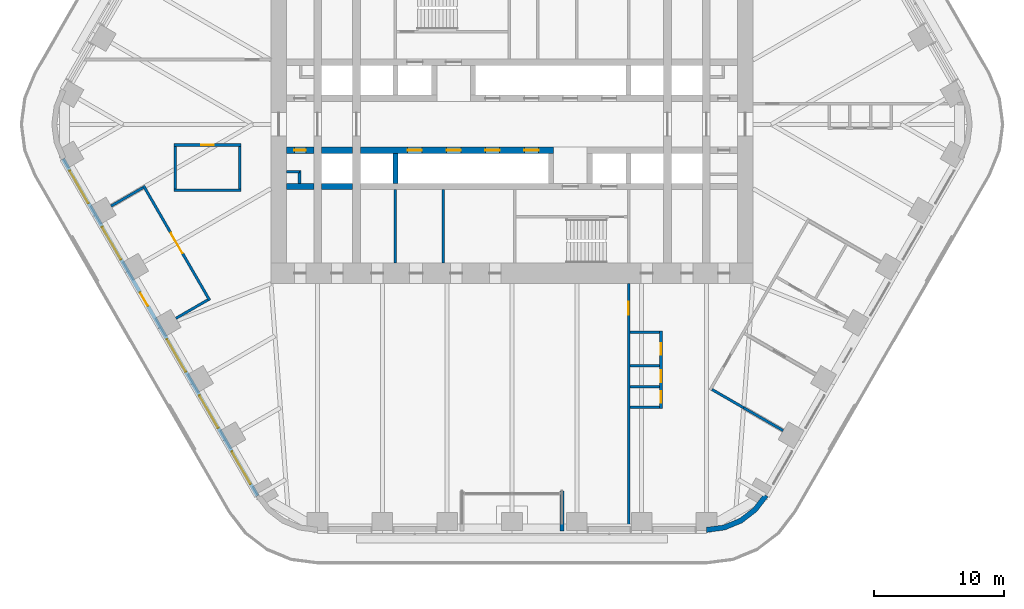
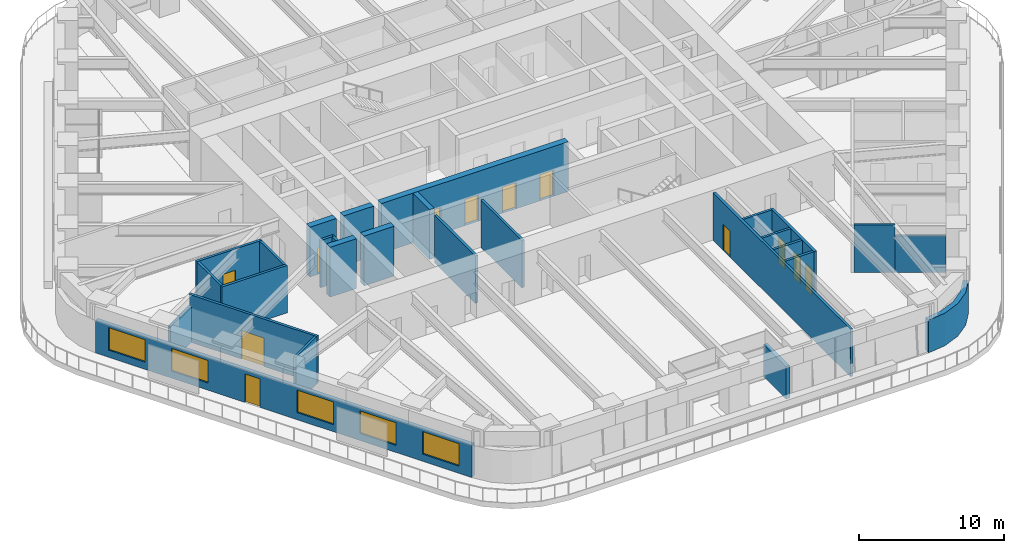
# One storey, part 17 of 24: 28 walls, 12 doors, 5 windows, 17 openings.
"""IFC4 building model written with IfcOpenShell, lengths in metres."""

from ifc_helpers import new_model, si_unit, direction, frame, frame_2d, origin, place, context, subcontext, project, spatial, polyline, rectangle, outline, extrude, material, layer, layer_set, type_object, element, fill, save


model = new_model("IFC4")

# Units and contexts
model_context = context("Model", 3, precision=1e-05, world=origin(), true_north=direction((0.0, 1.0)))
body_context = subcontext(model_context, "Body", "Model", "MODEL_VIEW")
ifc_project = project(units=[si_unit("LENGTHUNIT", "METRE"), si_unit("AREAUNIT", "SQUARE_METRE"), si_unit("VOLUMEUNIT", "CUBIC_METRE"), si_unit("PLANEANGLEUNIT", "RADIAN"), si_unit("MASSUNIT", "GRAM", prefix="KILO")], contexts=[model_context])

# Site, building, storey
site_placement = place(None, origin())
site = spatial("IfcSite", under=ifc_project, at=site_placement, CompositionType="ELEMENT")
building_placement = place(site_placement, origin())
building = spatial("IfcBuilding", under=site, at=building_placement, Name="Tarfa Lantern Tower", CompositionType="ELEMENT")
storey_placement = place(building_placement, frame((0.0, 0.0, 161.5)))
storey = spatial("IfcBuildingStorey", under=building, at=storey_placement, Name="L36", CompositionType="ELEMENT", Elevation=161.5)

# Wall, openings, door, windows
ifc_material_1 = material(Name="Limestone cladding on blockwork", Category="masonry")
ifc_layer_1 = layer(ifc_material_1, 0.300048828125)
ifc_layer_set_1 = layer_set([ifc_layer_1], Name="EW1 STONE-CLAD WALL 300")
wall_type_1 = type_object("IfcWallType", Name="EW1 STONE-CLAD WALL 300", PredefinedType="SOLIDWALL", material=ifc_layer_set_1)
wall_1_placement = place(storey_placement, frame((-34.655517578125, -2.675048828125, 0.0), z_axis=(0.0, 0.0, 1.0), x_axis=(0.500003084452, -0.866023622968, 0.0)))
wall_1 = element("IfcWall", 1, at=wall_1_placement, inside=storey, type_object=wall_type_1, Name="Stone wall SW", PredefinedType="SOLIDWALL", context=body_context, shape_type="SweptSolid", body=[
    extrude(rectangle(XDim=30.022216796875, YDim=0.300048828125, at=frame_2d((15.01123046875, 0.0))), origin(), (0.0, 0.0, 1.0), 2.75),
])
opening_1_placement = place(wall_1_placement, frame((1.0517578125, 0.0, 0.60009765625)))
opening_1 = element("IfcOpeningElement", 2, at=opening_1_placement, cuts=wall_1, Name="Opening W9", PredefinedType="OPENING", context=body_context, shape_type="SweptSolid", body=[
    extrude(rectangle(XDim=2.89990234375, YDim=1.89990234375, at=frame_2d((1.449951171875, 0.949951171875))), frame((0.0, 0.159912109375, 0.0), z_axis=(0.0, -1.0, 0.0), x_axis=(1.0, 0.0, 0.0)), (0.0, 0.0, 1.0), 0.320068359375),
])
opening_2_placement = place(wall_1_placement, frame((6.0556640625, 0.0, 0.60009765625)))
opening_2 = element("IfcOpeningElement", 3, at=opening_2_placement, cuts=wall_1, Name="Opening W9", PredefinedType="OPENING", context=body_context, shape_type="SweptSolid", body=[
    extrude(rectangle(XDim=2.89990234375, YDim=1.89990234375, at=frame_2d((1.449951171875, 0.949951171875))), frame((0.0, 0.159912109375, 0.0), z_axis=(0.0, -1.0, 0.0), x_axis=(1.0, 0.0, 0.0)), (0.0, 0.0, 1.0), 0.320068359375),
])
opening_3_placement = place(wall_1_placement, frame((11.9091796875, 0.0, 0.0)))
opening_3 = element("IfcOpeningElement", 4, at=opening_3_placement, cuts=wall_1, Name="Opening D52", PredefinedType="OPENING", context=body_context, shape_type="SweptSolid", body=[
    extrude(rectangle(XDim=1.199951171875, YDim=2.39990234375, at=frame_2d((0.60009765625, 1.199951171875))), frame((0.0, 0.159912109375, 0.0), z_axis=(0.0, -1.0, 0.0), x_axis=(1.0, 0.0, 0.0)), (0.0, 0.0, 1.0), 0.320068359375),
])
opening_4_placement = place(wall_1_placement, frame((16.06298828125, 0.0, 0.60009765625)))
opening_4 = element("IfcOpeningElement", 5, at=opening_4_placement, cuts=wall_1, Name="Opening W9", PredefinedType="OPENING", context=body_context, shape_type="SweptSolid", body=[
    extrude(rectangle(XDim=2.89990234375, YDim=1.89990234375, at=frame_2d((1.449951171875, 0.949951171875))), frame((0.0, 0.159912109375, 0.0), z_axis=(0.0, -1.0, 0.0), x_axis=(1.0, 0.0, 0.0)), (0.0, 0.0, 1.0), 0.320068359375),
])
opening_5_placement = place(wall_1_placement, frame((21.066650390625, 0.0, 0.60009765625)))
opening_5 = element("IfcOpeningElement", 6, at=opening_5_placement, cuts=wall_1, Name="Opening W9", PredefinedType="OPENING", context=body_context, shape_type="SweptSolid", body=[
    extrude(rectangle(XDim=2.89990234375, YDim=1.89990234375, at=frame_2d((1.449951171875, 0.949951171875))), frame((0.0, 0.159912109375, 0.0), z_axis=(0.0, -1.0, 0.0), x_axis=(1.0, 0.0, 0.0)), (0.0, 0.0, 1.0), 0.320068359375),
])
opening_6_placement = place(wall_1_placement, frame((26.0703125, 0.0, 0.60009765625)))
opening_6 = element("IfcOpeningElement", 7, at=opening_6_placement, cuts=wall_1, Name="Opening W9", PredefinedType="OPENING", context=body_context, shape_type="SweptSolid", body=[
    extrude(rectangle(XDim=2.89990234375, YDim=1.89990234375, at=frame_2d((1.449951171875, 0.949951171875))), frame((0.0, 0.159912109375, 0.0), z_axis=(0.0, -1.0, 0.0), x_axis=(1.0, 0.0, 0.0)), (0.0, 0.0, 1.0), 0.320068359375),
])
ifc_material_2 = material(Name="Aluminium framed glazed door", Category="aluminium")
door_type_1 = type_object("IfcDoorType", Name="BE3 BALCONY DOOR 1200x2400", OperationType="SINGLE_SWING_RIGHT", PredefinedType="DOOR", material=ifc_material_2)
door_1_placement = place(opening_3_placement, origin())
door_1 = element("IfcDoor", 8, at=door_1_placement, inside=storey, type_object=door_type_1, Name="Balcony door SW", OperationType="SINGLE_SWING_RIGHT", OverallHeight=2.39990234375, OverallWidth=1.199951171875, PredefinedType="DOOR", context=body_context, shape_type="SweptSolid", body=[
    extrude(rectangle(XDim=1.199951171875, YDim=2.39990234375, at=frame_2d((0.60009765625, 1.199951171875))), frame((0.0, 0.02490234375, 0.0), z_axis=(0.0, -1.0, 0.0), x_axis=(1.0, 0.0, 0.0)), (0.0, 0.0, 1.0), 0.050048828125),
])
fill(opening_3, door_1)
ifc_material_3 = material(Name="Aluminium frame, double glazed", Category="aluminium")
window_type = type_object("IfcWindowType", Name="W9 FULL-HEIGHT GLAZING 2900x1900", PartitioningType="SINGLE_PANEL", PredefinedType="WINDOW", material=ifc_material_3)
window_1_placement = place(opening_1_placement, origin())
window_1 = element("IfcWindow", 9, at=window_1_placement, inside=storey, type_object=window_type, Name="Window SW 1", OverallHeight=1.89990234375, OverallWidth=2.89990234375, PartitioningType="SINGLE_PANEL", PredefinedType="WINDOW", context=body_context, shape_type="SweptSolid", body=[
    extrude(rectangle(XDim=2.89990234375, YDim=1.89990234375, at=frame_2d((1.449951171875, 0.949951171875))), frame((0.0, 0.030029296875, 0.0), z_axis=(0.0, -1.0, 0.0), x_axis=(1.0, 0.0, 0.0)), (0.0, 0.0, 1.0), 0.06005859375),
])
fill(opening_1, window_1)
window_2_placement = place(opening_2_placement, origin())
window_2 = element("IfcWindow", 10, at=window_2_placement, inside=storey, type_object=window_type, Name="Window SW 2", OverallHeight=1.89990234375, OverallWidth=2.89990234375, PartitioningType="SINGLE_PANEL", PredefinedType="WINDOW", context=body_context, shape_type="SweptSolid", body=[
    extrude(rectangle(XDim=2.89990234375, YDim=1.89990234375, at=frame_2d((1.449951171875, 0.949951171875))), frame((0.0, 0.030029296875, 0.0), z_axis=(0.0, -1.0, 0.0), x_axis=(1.0, 0.0, 0.0)), (0.0, 0.0, 1.0), 0.06005859375),
])
fill(opening_2, window_2)
window_3_placement = place(opening_4_placement, origin())
window_3 = element("IfcWindow", 11, at=window_3_placement, inside=storey, type_object=window_type, Name="Window SW 4", OverallHeight=1.89990234375, OverallWidth=2.89990234375, PartitioningType="SINGLE_PANEL", PredefinedType="WINDOW", context=body_context, shape_type="SweptSolid", body=[
    extrude(rectangle(XDim=2.89990234375, YDim=1.89990234375, at=frame_2d((1.449951171875, 0.949951171875))), frame((0.0, 0.030029296875, 0.0), z_axis=(0.0, -1.0, 0.0), x_axis=(1.0, 0.0, 0.0)), (0.0, 0.0, 1.0), 0.06005859375),
])
fill(opening_4, window_3)
window_4_placement = place(opening_5_placement, origin())
window_4 = element("IfcWindow", 12, at=window_4_placement, inside=storey, type_object=window_type, Name="Window SW 5", OverallHeight=1.89990234375, OverallWidth=2.89990234375, PartitioningType="SINGLE_PANEL", PredefinedType="WINDOW", context=body_context, shape_type="SweptSolid", body=[
    extrude(rectangle(XDim=2.89990234375, YDim=1.89990234375, at=frame_2d((1.449951171875, 0.949951171875))), frame((0.0, 0.030029296875, 0.0), z_axis=(0.0, -1.0, 0.0), x_axis=(1.0, 0.0, 0.0)), (0.0, 0.0, 1.0), 0.06005859375),
])
fill(opening_5, window_4)
window_5_placement = place(opening_6_placement, origin())
window_5 = element("IfcWindow", 13, at=window_5_placement, inside=storey, type_object=window_type, Name="Window SW 6", OverallHeight=1.89990234375, OverallWidth=2.89990234375, PartitioningType="SINGLE_PANEL", PredefinedType="WINDOW", context=body_context, shape_type="SweptSolid", body=[
    extrude(rectangle(XDim=2.89990234375, YDim=1.89990234375, at=frame_2d((1.449951171875, 0.949951171875))), frame((0.0, 0.030029296875, 0.0), z_axis=(0.0, -1.0, 0.0), x_axis=(1.0, 0.0, 0.0)), (0.0, 0.0, 1.0), 0.06005859375),
])
fill(opening_6, window_5)

# Walls
wall_2_placement = place(storey_placement, frame((3.853759765625, -31.39990234375, 0.0), z_axis=(0.0, 0.0, 1.0), x_axis=(0.0, 1.0, 0.0)))
element("IfcWall", 14, at=wall_2_placement, inside=storey, type_object=wall_type_1, Name="Loggia return S 2", PredefinedType="SOLIDWALL", context=body_context, shape_type="SweptSolid", body=[
    extrude(rectangle(XDim=3.099853515625, YDim=0.300048828125, at=frame_2d((1.5498046875, 0.0))), origin(), (0.0, 0.0, 1.0), 2.75),
])
ifc_layer_2 = layer(ifc_material_1, 0.39990234375)
ifc_layer_set_2 = layer_set([ifc_layer_2], Name="EW2 CURVED STONE CORNER 400")
wall_type_2 = type_object("IfcWallType", Name="EW2 CURVED STONE CORNER 400", PredefinedType="SOLIDWALL", material=ifc_layer_set_2)
wall_3_placement = place(storey_placement, origin())
element("IfcWall", 15, at=wall_3_placement, inside=storey, type_object=wall_type_2, Name="Stone corner S-SE", PredefinedType="SOLIDWALL", context=body_context, shape_type="SweptSolid", body=[
    extrude(outline(polyline([(15.010986328125, -31.5), (16.4345703125, -31.3125), (17.760986328125, -30.76318359375), (18.900146484375, -29.88916015625), (19.774169921875, -28.75), (19.427734375, -28.550048828125), (18.617431640625, -29.606201171875), (17.56103515625, -30.416748046875), (16.3310546875, -30.92626953125), (15.010986328125, -31.10009765625), (15.010986328125, -31.5)])), origin(), (0.0, 0.0, 1.0), 2.75),
])
ifc_material_4 = material(Name="Concrete blockwork", Category="masonry")
ifc_layer_3 = layer(ifc_material_4, 0.199951171875)
ifc_layer_set_3 = layer_set([ifc_layer_3], Name="IW1 BLOCKWORK PARTITION 200 EI 120")
wall_type_3 = type_object("IfcWallType", Name="IW1 BLOCKWORK PARTITION 200 EI 120", PredefinedType="PARTITIONING", material=ifc_layer_set_3)
for number, where, z_axis, x_axis, name in (
    (16, (-9.0, -5.050048828125, 0.0), (0.0, 0.0, 1.0), (0.0, -1.0, 0.0), "Core partition"),
    (17, (-5.300048828125, -5.050048828125, 0.0), (0.0, 0.0, 1.0), (0.0, -1.0, 0.0), "Core partition"),
):
    element("IfcWall", number, at=place(storey_placement, frame(where, z_axis=z_axis, x_axis=x_axis)), inside=storey, type_object=wall_type_3, Name=name, PredefinedType="PARTITIONING", context=body_context, shape_type="SweptSolid", body=[
        extrude(rectangle(XDim=5.64990234375, YDim=0.199951171875, at=frame_2d((2.824951171875, 0.0))), origin(), (0.0, 0.0, 1.0), 4.0),
    ])
for number, where, z_axis, x_axis, name in (
    (18, (-16.39990234375, -3.64990234375, 0.0), (0.0, 0.0, 1.0), (-1.0, 0.0, 0.0), "Core partition"),
    (19, (-16.39990234375, -3.550048828125, 0.0), (0.0, 0.0, 1.0), (0.0, -1.0, 0.0), "Core partition"),
):
    element("IfcWall", number, at=place(storey_placement, frame(where, z_axis=z_axis, x_axis=x_axis)), inside=storey, type_object=wall_type_3, Name=name, PredefinedType="PARTITIONING", context=body_context, shape_type="SweptSolid", body=[
        extrude(rectangle(XDim=1.0, YDim=0.199951171875, at=frame_2d((0.5, 0.0))), origin(), (0.0, 0.0, 1.0), 4.0),
    ])
ifc_material_5 = material(Name="Gypsum board on steel studs", Category="steel")
ifc_layer_4 = layer(ifc_material_5, 0.2099609375)
ifc_layer_set_4 = layer_set([ifc_layer_4], Name="IW2 ACOUSTIC PARTITION 200")
wall_type_4 = type_object("IfcWallType", Name="IW2 ACOUSTIC PARTITION 200", PredefinedType="PARTITIONING", material=ifc_layer_set_4)
wall_4_placement = place(storey_placement, frame((15.4345703125, -20.466552734375, 0.0), z_axis=(0.0, 0.0, 1.0), x_axis=(0.866008320966, -0.500029587143, 0.0)))
element("IfcWall", 20, at=wall_4_placement, inside=storey, type_object=wall_type_4, Name="Partition", PredefinedType="PARTITIONING", context=body_context, shape_type="SweptSolid", body=[
    extrude(rectangle(XDim=2.821044921875, YDim=0.199951171875, at=frame_2d((1.41064453125, 0.0))), origin(), (0.0, 0.0, 1.0), 4.0),
])
wall_5_placement = place(storey_placement, frame((17.877685546875, -21.877197265625, 0.0), z_axis=(0.0, 0.0, 1.0), x_axis=(0.866033512162, -0.499985955615, 0.0)))
element("IfcWall", 21, at=wall_5_placement, inside=storey, type_object=wall_type_4, Name="Partition", PredefinedType="PARTITIONING", context=body_context, shape_type="SweptSolid", body=[
    extrude(rectangle(XDim=3.52880859375, YDim=0.199951171875, at=frame_2d((1.764404296875, 0.0))), origin(), (0.0, 0.0, 1.0), 3.08154296875),
])

# Wall, opening, door
wall_6_placement = place(storey_placement, frame((-28.436279296875, -4.746826171875, 0.0), z_axis=(0.0, 0.0, 1.0), x_axis=(0.499987468925, -0.866032638483, 0.0)))
wall_6 = element("IfcWall", 22, at=wall_6_placement, inside=storey, type_object=wall_type_4, Name="Partition", PredefinedType="PARTITIONING", context=body_context, shape_type="SweptSolid", body=[
    extrude(rectangle(XDim=10.207275390625, YDim=0.199951171875, at=frame_2d((5.103515625, 0.0))), origin(), (0.0, 0.0, 1.0), 4.0),
])
opening_7_placement = place(wall_6_placement, frame((4.20361328125, 0.0, 0.0)))
opening_7 = element("IfcOpeningElement", 23, at=opening_7_placement, cuts=wall_6, Name="Opening D37", PredefinedType="OPENING", context=body_context, shape_type="SweptSolid", body=[
    extrude(rectangle(XDim=1.800048828125, YDim=2.39990234375, at=frame_2d((0.89990234375, 1.199951171875))), frame((0.0, 0.10986328125, 0.0), z_axis=(0.0, -1.0, 0.0), x_axis=(1.0, 0.0, 0.0)), (0.0, 0.0, 1.0), 0.219970703125),
])
ifc_material_6 = material(Name="Timber door", Category="wood")
door_type_2 = type_object("IfcDoorType", Name="DR2 ROOM DOOR 1800x2400", OperationType="DOUBLE_DOOR_SINGLE_SWING", PredefinedType="DOOR", material=ifc_material_6)
door_2_placement = place(opening_7_placement, frame((1.800048828125, 0.0, 0.0), z_axis=(0.0, 0.0, 1.0), x_axis=(-1.0, 0.0, 0.0)))
door_2 = element("IfcDoor", 24, at=door_2_placement, inside=storey, type_object=door_type_2, Name="Evidence review room door", OperationType="DOUBLE_DOOR_SINGLE_SWING", OverallHeight=2.39990234375, OverallWidth=1.800048828125, PredefinedType="DOOR", context=body_context, shape_type="SweptSolid", body=[
    extrude(rectangle(XDim=1.800048828125, YDim=2.39990234375, at=frame_2d((0.89990234375, 1.199951171875))), frame((0.0, 0.02490234375, 0.0), z_axis=(0.0, -1.0, 0.0), x_axis=(1.0, 0.0, 0.0)), (0.0, 0.0, 1.0), 0.050048828125),
])
fill(opening_7, door_2)

# Walls
wall_7_placement = place(storey_placement, frame((-28.472900390625, -4.88330078125, 0.0), z_axis=(0.0, 0.0, 1.0), x_axis=(-0.866025820012, -0.499999279071, 0.0)))
element("IfcWall", 25, at=wall_7_placement, inside=storey, type_object=wall_type_4, Name="Partition", PredefinedType="PARTITIONING", context=body_context, shape_type="SweptSolid", body=[
    extrude(rectangle(XDim=2.85009765625, YDim=0.199951171875, at=frame_2d((1.425048828125, 0.0))), origin(), (0.0, 0.0, 1.0), 3.08154296875),
])
wall_8_placement = place(storey_placement, frame((-23.46923828125, -13.550048828125, 0.0), z_axis=(0.0, 0.0, 1.0), x_axis=(-0.866025820012, -0.499999279071, 0.0)))
element("IfcWall", 26, at=wall_8_placement, inside=storey, type_object=wall_type_4, Name="Partition", PredefinedType="PARTITIONING", context=body_context, shape_type="SweptSolid", body=[
    extrude(rectangle(XDim=2.85009765625, YDim=0.199951171875, at=frame_2d((1.425048828125, 0.0))), origin(), (0.0, 0.0, 1.0), 4.0),
])

# Wall, opening, door
wall_9_placement = place(storey_placement, frame((-20.89990234375, -1.60009765625, 0.0), z_axis=(0.0, 0.0, 1.0), x_axis=(-1.0, 0.0, 0.0)))
wall_9 = element("IfcWall", 27, at=wall_9_placement, inside=storey, type_object=wall_type_4, Name="Partition", PredefinedType="PARTITIONING", context=body_context, shape_type="SweptSolid", body=[
    extrude(rectangle(XDim=5.2001953125, YDim=0.199951171875, at=frame_2d((2.60009765625, 0.0))), origin(), (0.0, 0.0, 1.0), 4.0),
])
opening_8_placement = place(wall_9_placement, frame((2.10009765625, 0.0, 0.0)))
opening_8 = element("IfcOpeningElement", 28, at=opening_8_placement, cuts=wall_9, Name="Opening D38", PredefinedType="OPENING", context=body_context, shape_type="SweptSolid", body=[
    extrude(rectangle(XDim=1.0, YDim=2.199951171875, at=frame_2d((0.5, 1.10009765625))), frame((0.0, 0.10986328125, 0.0), z_axis=(0.0, -1.0, 0.0), x_axis=(1.0, 0.0, 0.0)), (0.0, 0.0, 1.0), 0.219970703125),
])
door_type_3 = type_object("IfcDoorType", Name="DR1 ROOM DOOR 1000x2200", OperationType="SINGLE_SWING_LEFT", PredefinedType="DOOR", material=ifc_material_6)
door_3_placement = place(opening_8_placement, origin())
door_3 = element("IfcDoor", 29, at=door_3_placement, inside=storey, type_object=door_type_3, Name="Pantry door", OperationType="SINGLE_SWING_RIGHT", OverallHeight=2.199951171875, OverallWidth=1.0, PredefinedType="DOOR", context=body_context, shape_type="SweptSolid", body=[
    extrude(rectangle(XDim=1.0, YDim=2.199951171875, at=frame_2d((0.5, 1.10009765625))), frame((0.0, 0.02490234375, 0.0), z_axis=(0.0, -1.0, 0.0), x_axis=(1.0, 0.0, 0.0)), (0.0, 0.0, 1.0), 0.050048828125),
])
fill(opening_8, door_3)

# Walls
wall_10_placement = place(storey_placement, frame((-20.89990234375, -5.10009765625, 0.0), z_axis=(0.0, 0.0, 1.0), x_axis=(-1.0, 0.0, 0.0)))
element("IfcWall", 30, at=wall_10_placement, inside=storey, type_object=wall_type_4, Name="Partition", PredefinedType="PARTITIONING", context=body_context, shape_type="SweptSolid", body=[
    extrude(rectangle(XDim=5.2001953125, YDim=0.199951171875, at=frame_2d((2.60009765625, 0.0))), origin(), (0.0, 0.0, 1.0), 4.0),
])
for number, where, z_axis, x_axis, name in (
    (31, (-21.0, -1.699951171875, 0.0), (0.0, 0.0, 1.0), (0.0, -1.0, 0.0), "Partition"),
    (32, (-26.0, -1.699951171875, 0.0), (0.0, 0.0, 1.0), (0.0, -1.0, 0.0), "Partition"),
):
    element("IfcWall", number, at=place(storey_placement, frame(where, z_axis=z_axis, x_axis=x_axis)), inside=storey, type_object=wall_type_4, Name=name, PredefinedType="PARTITIONING", context=body_context, shape_type="SweptSolid", body=[
        extrude(rectangle(XDim=3.300048828125, YDim=0.199951171875, at=frame_2d((1.64990234375, 0.0))), origin(), (0.0, 0.0, 1.0), 4.0),
    ])

# Wall, opening, door
wall_11_placement = place(storey_placement, frame((9.0, -12.300048828125, 0.0), z_axis=(0.0, 0.0, 1.0), x_axis=(0.0, -1.0, 0.0)))
wall_11 = element("IfcWall", 33, at=wall_11_placement, inside=storey, type_object=wall_type_4, Name="Partition", PredefinedType="PARTITIONING", context=body_context, shape_type="SweptSolid", body=[
    extrude(rectangle(XDim=19.0, YDim=0.199951171875, at=frame_2d((9.5, 0.0))), origin(), (0.0, 0.0, 1.0), 4.0),
])
opening_9_placement = place(wall_11_placement, frame((1.39990234375, 0.0, 0.0)))
opening_9 = element("IfcOpeningElement", 34, at=opening_9_placement, cuts=wall_11, Name="Opening D48", PredefinedType="OPENING", context=body_context, shape_type="SweptSolid", body=[
    extrude(rectangle(XDim=1.0, YDim=2.199951171875, at=frame_2d((0.5, 1.10009765625))), frame((0.0, 0.10986328125, 0.0), z_axis=(0.0, -1.0, 0.0), x_axis=(1.0, 0.0, 0.0)), (0.0, 0.0, 1.0), 0.219970703125),
])
door_4_placement = place(opening_9_placement, origin())
door_4 = element("IfcDoor", 35, at=door_4_placement, inside=storey, type_object=door_type_3, Name="Zone door", OperationType="SINGLE_SWING_LEFT", OverallHeight=2.199951171875, OverallWidth=1.0, PredefinedType="DOOR", context=body_context, shape_type="SweptSolid", body=[
    extrude(rectangle(XDim=1.0, YDim=2.199951171875, at=frame_2d((0.5, 1.10009765625))), frame((0.0, 0.02490234375, 0.0), z_axis=(0.0, -1.0, 0.0), x_axis=(1.0, 0.0, 0.0)), (0.0, 0.0, 1.0), 0.050048828125),
])
fill(opening_9, door_4)

# Wall, openings, doors
wall_12_placement = place(storey_placement, frame((11.5, -15.949951171875, 0.0), z_axis=(0.0, 0.0, 1.0), x_axis=(0.0, -1.0, 0.0)))
wall_12 = element("IfcWall", 36, at=wall_12_placement, inside=storey, type_object=wall_type_4, Name="Partition", PredefinedType="PARTITIONING", context=body_context, shape_type="SweptSolid", body=[
    extrude(rectangle(XDim=6.0, YDim=0.199951171875, at=frame_2d((3.0, 0.0))), origin(), (0.0, 0.0, 1.0), 4.0),
])
opening_10_placement = place(wall_12_placement, frame((0.949951171875, 0.0, 0.0)))
opening_10 = element("IfcOpeningElement", 37, at=opening_10_placement, cuts=wall_12, Name="Opening D41", PredefinedType="OPENING", context=body_context, shape_type="SweptSolid", body=[
    extrude(rectangle(XDim=0.89990234375, YDim=2.199951171875, at=frame_2d((0.449951171875, 1.10009765625))), frame((0.0, 0.10986328125, 0.0), z_axis=(0.0, -1.0, 0.0), x_axis=(1.0, 0.0, 0.0)), (0.0, 0.0, 1.0), 0.219970703125),
])
opening_11_placement = place(wall_12_placement, frame((3.050048828125, 0.0, 0.0)))
opening_11 = element("IfcOpeningElement", 38, at=opening_11_placement, cuts=wall_12, Name="Opening D42", PredefinedType="OPENING", context=body_context, shape_type="SweptSolid", body=[
    extrude(rectangle(XDim=0.89990234375, YDim=2.199951171875, at=frame_2d((0.449951171875, 1.10009765625))), frame((0.0, 0.10986328125, 0.0), z_axis=(0.0, -1.0, 0.0), x_axis=(1.0, 0.0, 0.0)), (0.0, 0.0, 1.0), 0.219970703125),
])
opening_12_placement = place(wall_12_placement, frame((4.64990234375, 0.0, 0.0)))
opening_12 = element("IfcOpeningElement", 39, at=opening_12_placement, cuts=wall_12, Name="Opening D43", PredefinedType="OPENING", context=body_context, shape_type="SweptSolid", body=[
    extrude(rectangle(XDim=0.89990234375, YDim=2.199951171875, at=frame_2d((0.449951171875, 1.10009765625))), frame((0.0, 0.10986328125, 0.0), z_axis=(0.0, -1.0, 0.0), x_axis=(1.0, 0.0, 0.0)), (0.0, 0.0, 1.0), 0.219970703125),
])
door_type_4 = type_object("IfcDoorType", Name="DR3 ROOM DOOR 900x2200", OperationType="SINGLE_SWING_LEFT", PredefinedType="DOOR", material=ifc_material_6)
door_5_placement = place(opening_10_placement, frame((0.89990234375, 0.0, 0.0), z_axis=(0.0, 0.0, 1.0), x_axis=(-1.0, 0.0, 0.0)))
door_5 = element("IfcDoor", 40, at=door_5_placement, inside=storey, type_object=door_type_4, Name="Print and copy room door", OperationType="SINGLE_SWING_LEFT", OverallHeight=2.199951171875, OverallWidth=0.89990234375, PredefinedType="DOOR", context=body_context, shape_type="SweptSolid", body=[
    extrude(rectangle(XDim=0.89990234375, YDim=2.199951171875, at=frame_2d((0.449951171875, 1.10009765625))), frame((0.0, 0.02490234375, 0.0), z_axis=(0.0, -1.0, 0.0), x_axis=(1.0, 0.0, 0.0)), (0.0, 0.0, 1.0), 0.050048828125),
])
fill(opening_10, door_5)
door_6_placement = place(opening_11_placement, frame((0.89990234375, 0.0, 0.0), z_axis=(0.0, 0.0, 1.0), x_axis=(-1.0, 0.0, 0.0)))
door_6 = element("IfcDoor", 41, at=door_6_placement, inside=storey, type_object=door_type_4, Name="Phone booth door", OperationType="SINGLE_SWING_RIGHT", OverallHeight=2.199951171875, OverallWidth=0.89990234375, PredefinedType="DOOR", context=body_context, shape_type="SweptSolid", body=[
    extrude(rectangle(XDim=0.89990234375, YDim=2.199951171875, at=frame_2d((0.449951171875, 1.10009765625))), frame((0.0, 0.02490234375, 0.0), z_axis=(0.0, -1.0, 0.0), x_axis=(1.0, 0.0, 0.0)), (0.0, 0.0, 1.0), 0.050048828125),
])
fill(opening_11, door_6)
door_7_placement = place(opening_12_placement, frame((0.89990234375, 0.0, 0.0), z_axis=(0.0, 0.0, 1.0), x_axis=(-1.0, 0.0, 0.0)))
door_7 = element("IfcDoor", 42, at=door_7_placement, inside=storey, type_object=door_type_4, Name="Phone booth door", OperationType="SINGLE_SWING_RIGHT", OverallHeight=2.199951171875, OverallWidth=0.89990234375, PredefinedType="DOOR", context=body_context, shape_type="SweptSolid", body=[
    extrude(rectangle(XDim=0.89990234375, YDim=2.199951171875, at=frame_2d((0.449951171875, 1.10009765625))), frame((0.0, 0.02490234375, 0.0), z_axis=(0.0, -1.0, 0.0), x_axis=(1.0, 0.0, 0.0)), (0.0, 0.0, 1.0), 0.050048828125),
])
fill(opening_12, door_7)

# Walls
for number, where, z_axis, x_axis, name in (
    (43, (9.10009765625, -16.050048828125, 0.0), (0.0, 0.0, 1.0), (1.0, 0.0, 0.0), "Partition"),
    (44, (9.10009765625, -18.64990234375, 0.0), (0.0, 0.0, 1.0), (1.0, 0.0, 0.0), "Partition"),
    (45, (9.10009765625, -20.25, 0.0), (0.0, 0.0, 1.0), (1.0, 0.0, 0.0), "Partition"),
    (46, (9.10009765625, -21.85009765625, 0.0), (0.0, 0.0, 1.0), (1.0, 0.0, 0.0), "Partition"),
):
    element("IfcWall", number, at=place(storey_placement, frame(where, z_axis=z_axis, x_axis=x_axis)), inside=storey, type_object=wall_type_4, Name=name, PredefinedType="PARTITIONING", context=body_context, shape_type="SweptSolid", body=[
        extrude(rectangle(XDim=2.2998046875, YDim=0.199951171875, at=frame_2d((1.14990234375, 0.0))), origin(), (0.0, 0.0, 1.0), 4.0),
    ])

# Wall, openings, doors
ifc_material_7 = material(Name="Concrete C80/95", Category="concrete")
ifc_layer_5 = layer(ifc_material_7, 0.5)
ifc_layer_set_5 = layer_set([ifc_layer_5], Name="SW5 CORE WALL 500")
wall_type_5 = type_object("IfcWallType", Name="SW5 CORE WALL 500", PredefinedType="SHEAR", material=ifc_layer_set_5)
wall_13_placement = place(storey_placement, frame((3.199951171875, -2.0, 0.0), z_axis=(0.0, 0.0, 1.0), x_axis=(-1.0, 0.0, 0.0)))
wall_13 = element("IfcWall", 47, at=wall_13_placement, inside=storey, type_object=wall_type_5, Name="Core wall lobby east S", PredefinedType="SHEAR", context=body_context, shape_type="SweptSolid", body=[
    extrude(rectangle(XDim=14.89990234375, YDim=0.5, at=frame_2d((7.449951171875, 0.0))), origin(), (0.0, 0.0, 1.0), 4.199951171875),
])
opening_13_placement = place(wall_13_placement, frame((1.14990234375, 0.0, 0.0)))
opening_13 = element("IfcOpeningElement", 48, at=opening_13_placement, cuts=wall_13, Name="Opening LD07", PredefinedType="OPENING", context=body_context, shape_type="SweptSolid", body=[
    extrude(rectangle(XDim=1.10009765625, YDim=2.199951171875, at=frame_2d((0.550048828125, 1.10009765625))), frame((0.0, 0.260009765625, 0.0), z_axis=(0.0, -1.0, 0.0), x_axis=(1.0, 0.0, 0.0)), (0.0, 0.0, 1.0), 0.52001953125),
])
opening_14_placement = place(wall_13_placement, frame((4.14990234375, 0.0, 0.0)))
opening_14 = element("IfcOpeningElement", 49, at=opening_14_placement, cuts=wall_13, Name="Opening LD08", PredefinedType="OPENING", context=body_context, shape_type="SweptSolid", body=[
    extrude(rectangle(XDim=1.10009765625, YDim=2.199951171875, at=frame_2d((0.550048828125, 1.10009765625))), frame((0.0, 0.260009765625, 0.0), z_axis=(0.0, -1.0, 0.0), x_axis=(1.0, 0.0, 0.0)), (0.0, 0.0, 1.0), 0.52001953125),
])
opening_15_placement = place(wall_13_placement, frame((7.14990234375, 0.0, 0.0)))
opening_15 = element("IfcOpeningElement", 50, at=opening_15_placement, cuts=wall_13, Name="Opening LD09", PredefinedType="OPENING", context=body_context, shape_type="SweptSolid", body=[
    extrude(rectangle(XDim=1.10009765625, YDim=2.199951171875, at=frame_2d((0.550048828125, 1.10009765625))), frame((0.0, 0.260009765625, 0.0), z_axis=(0.0, -1.0, 0.0), x_axis=(1.0, 0.0, 0.0)), (0.0, 0.0, 1.0), 0.52001953125),
])
opening_16_placement = place(wall_13_placement, frame((10.14990234375, 0.0, 0.0)))
opening_16 = element("IfcOpeningElement", 51, at=opening_16_placement, cuts=wall_13, Name="Opening LD10", PredefinedType="OPENING", context=body_context, shape_type="SweptSolid", body=[
    extrude(rectangle(XDim=1.10009765625, YDim=2.199951171875, at=frame_2d((0.550048828125, 1.10009765625))), frame((0.0, 0.260009765625, 0.0), z_axis=(0.0, -1.0, 0.0), x_axis=(1.0, 0.0, 0.0)), (0.0, 0.0, 1.0), 0.52001953125),
])
ifc_material_8 = material(Name="Stainless steel lift door", Category="steel")
door_type_5 = type_object("IfcDoorType", Name="LD2 LIFT LANDING DOOR 1100x2200", OperationType="SLIDING_TO_LEFT", PredefinedType="DOOR", material=ifc_material_8)
door_8_placement = place(opening_13_placement, frame((1.10009765625, 0.0, 0.0), z_axis=(0.0, 0.0, 1.0), x_axis=(-1.0, 0.0, 0.0)))
door_8 = element("IfcDoor", 52, at=door_8_placement, inside=storey, type_object=door_type_5, Name="Landing door PB5", OperationType="SLIDING_TO_LEFT", OverallHeight=2.199951171875, OverallWidth=1.10009765625, PredefinedType="DOOR", context=body_context, shape_type="SweptSolid", body=[
    extrude(rectangle(XDim=1.10009765625, YDim=2.199951171875, at=frame_2d((0.550048828125, 1.10009765625))), frame((0.0, 0.02490234375, 0.0), z_axis=(0.0, -1.0, 0.0), x_axis=(1.0, 0.0, 0.0)), (0.0, 0.0, 1.0), 0.050048828125),
])
fill(opening_13, door_8)
door_9_placement = place(opening_14_placement, frame((1.10009765625, 0.0, 0.0), z_axis=(0.0, 0.0, 1.0), x_axis=(-1.0, 0.0, 0.0)))
door_9 = element("IfcDoor", 53, at=door_9_placement, inside=storey, type_object=door_type_5, Name="Landing door PB6", OperationType="SLIDING_TO_LEFT", OverallHeight=2.199951171875, OverallWidth=1.10009765625, PredefinedType="DOOR", context=body_context, shape_type="SweptSolid", body=[
    extrude(rectangle(XDim=1.10009765625, YDim=2.199951171875, at=frame_2d((0.550048828125, 1.10009765625))), frame((0.0, 0.02490234375, 0.0), z_axis=(0.0, -1.0, 0.0), x_axis=(1.0, 0.0, 0.0)), (0.0, 0.0, 1.0), 0.050048828125),
])
fill(opening_14, door_9)
door_10_placement = place(opening_15_placement, frame((1.10009765625, 0.0, 0.0), z_axis=(0.0, 0.0, 1.0), x_axis=(-1.0, 0.0, 0.0)))
door_10 = element("IfcDoor", 54, at=door_10_placement, inside=storey, type_object=door_type_5, Name="Landing door PB7", OperationType="SLIDING_TO_LEFT", OverallHeight=2.199951171875, OverallWidth=1.10009765625, PredefinedType="DOOR", context=body_context, shape_type="SweptSolid", body=[
    extrude(rectangle(XDim=1.10009765625, YDim=2.199951171875, at=frame_2d((0.550048828125, 1.10009765625))), frame((0.0, 0.02490234375, 0.0), z_axis=(0.0, -1.0, 0.0), x_axis=(1.0, 0.0, 0.0)), (0.0, 0.0, 1.0), 0.050048828125),
])
fill(opening_15, door_10)
door_11_placement = place(opening_16_placement, frame((1.10009765625, 0.0, 0.0), z_axis=(0.0, 0.0, 1.0), x_axis=(-1.0, 0.0, 0.0)))
door_11 = element("IfcDoor", 55, at=door_11_placement, inside=storey, type_object=door_type_5, Name="Landing door PB8", OperationType="SLIDING_TO_LEFT", OverallHeight=2.199951171875, OverallWidth=1.10009765625, PredefinedType="DOOR", context=body_context, shape_type="SweptSolid", body=[
    extrude(rectangle(XDim=1.10009765625, YDim=2.199951171875, at=frame_2d((0.550048828125, 1.10009765625))), frame((0.0, 0.02490234375, 0.0), z_axis=(0.0, -1.0, 0.0), x_axis=(1.0, 0.0, 0.0)), (0.0, 0.0, 1.0), 0.050048828125),
])
fill(opening_16, door_11)

# Wall
wall_14_placement = place(storey_placement, frame((-12.300048828125, -2.0, 0.0), z_axis=(0.0, 0.0, 1.0), x_axis=(-1.0, 0.0, 0.0)))
element("IfcWall", 56, at=wall_14_placement, inside=storey, type_object=wall_type_5, Name="Core wall lobby east S", PredefinedType="SHEAR", context=body_context, shape_type="SweptSolid", body=[
    extrude(rectangle(XDim=2.39990234375, YDim=0.5, at=frame_2d((1.199951171875, 0.0))), origin(), (0.0, 0.0, 1.0), 4.199951171875),
])

# Wall, opening, door
wall_15_placement = place(storey_placement, frame((-15.300048828125, -2.0, 0.0), z_axis=(0.0, 0.0, 1.0), x_axis=(-1.0, 0.0, 0.0)))
wall_15 = element("IfcWall", 57, at=wall_15_placement, inside=storey, type_object=wall_type_5, Name="Core wall lobby east S", PredefinedType="SHEAR", context=body_context, shape_type="SweptSolid", body=[
    extrude(rectangle(XDim=2.099853515625, YDim=0.5, at=frame_2d((1.0498046875, 0.0))), origin(), (0.0, 0.0, 1.0), 4.199951171875),
])
opening_17_placement = place(wall_15_placement, frame((0.60009765625, 0.0, 0.0)))
opening_17 = element("IfcOpeningElement", 58, at=opening_17_placement, cuts=wall_15, Name="Opening D18", PredefinedType="OPENING", context=body_context, shape_type="SweptSolid", body=[
    extrude(rectangle(XDim=0.89990234375, YDim=2.199951171875, at=frame_2d((0.449951171875, 1.10009765625))), frame((0.0, 0.260009765625, 0.0), z_axis=(0.0, -1.0, 0.0), x_axis=(1.0, 0.0, 0.0)), (0.0, 0.0, 1.0), 0.52001953125),
])
ifc_material_9 = material(Name="Steel fire door", Category="steel")
door_type_6 = type_object("IfcDoorType", Name="DF6 SERVICE ROOM DOOR 900x2200", OperationType="SINGLE_SWING_LEFT", PredefinedType="DOOR", material=ifc_material_9)
door_12_placement = place(opening_17_placement, origin())
door_12 = element("IfcDoor", 59, at=door_12_placement, inside=storey, type_object=door_type_6, Name="Service room door", OperationType="SINGLE_SWING_LEFT", OverallHeight=2.199951171875, OverallWidth=0.89990234375, PredefinedType="DOOR", context=body_context, shape_type="SweptSolid", body=[
    extrude(rectangle(XDim=0.89990234375, YDim=2.199951171875, at=frame_2d((0.449951171875, 1.10009765625))), frame((0.0, 0.02490234375, 0.0), z_axis=(0.0, -1.0, 0.0), x_axis=(1.0, 0.0, 0.0)), (0.0, 0.0, 1.0), 0.050048828125),
])
fill(opening_17, door_12)

# Walls
wall_16_placement = place(storey_placement, frame((-12.300048828125, -4.800048828125, 0.0), z_axis=(0.0, 0.0, 1.0), x_axis=(-1.0, 0.0, 0.0)))
element("IfcWall", 60, at=wall_16_placement, inside=storey, type_object=wall_type_5, Name="Core wall rear S", PredefinedType="SHEAR", context=body_context, shape_type="SweptSolid", body=[
    extrude(rectangle(XDim=2.39990234375, YDim=0.5, at=frame_2d((1.199951171875, 0.0))), origin(), (0.0, 0.0, 1.0), 4.199951171875),
])
wall_17_placement = place(storey_placement, frame((-15.300048828125, -4.800048828125, 0.0), z_axis=(0.0, 0.0, 1.0), x_axis=(-1.0, 0.0, 0.0)))
element("IfcWall", 61, at=wall_17_placement, inside=storey, type_object=wall_type_5, Name="Core wall rear S", PredefinedType="SHEAR", context=body_context, shape_type="SweptSolid", body=[
    extrude(rectangle(XDim=2.099853515625, YDim=0.5, at=frame_2d((1.0498046875, 0.0))), origin(), (0.0, 0.0, 1.0), 4.199951171875),
])
ifc_layer_6 = layer(ifc_material_7, 0.39990234375)
ifc_layer_set_6 = layer_set([ifc_layer_6], Name="SW6 CORE WALL 400")
wall_type_6 = type_object("IfcWallType", Name="SW6 CORE WALL 400", PredefinedType="SHEAR", material=ifc_layer_set_6)
wall_18_placement = place(storey_placement, frame((-9.0, -2.25, 0.0), z_axis=(0.0, 0.0, 1.0), x_axis=(0.0, -1.0, 0.0)))
element("IfcWall", 62, at=wall_18_placement, inside=storey, type_object=wall_type_6, Name="Core wall divider S", PredefinedType="SHEAR", context=body_context, shape_type="SweptSolid", body=[
    extrude(rectangle(XDim=2.300048828125, YDim=0.39990234375, at=frame_2d((1.14990234375, 0.0))), origin(), (0.0, 0.0, 1.0), 4.199951171875),
])

save(model, "model.ifc")
